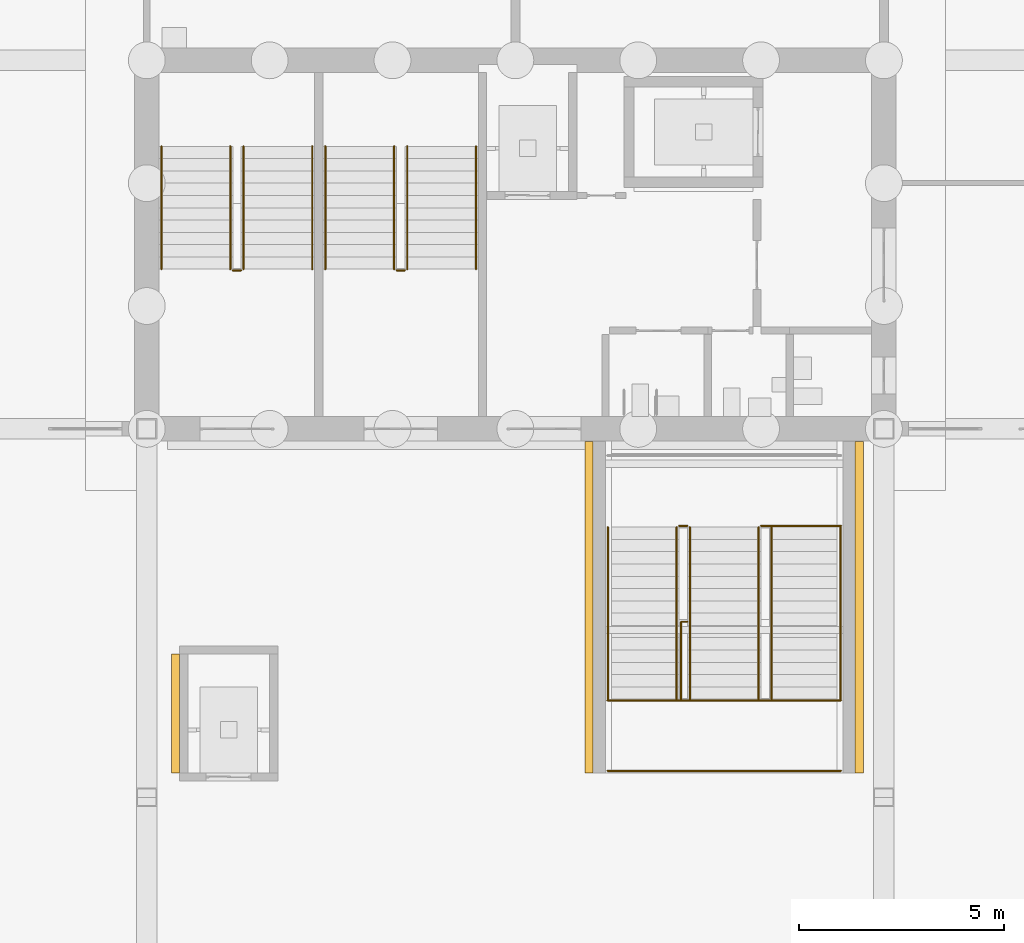
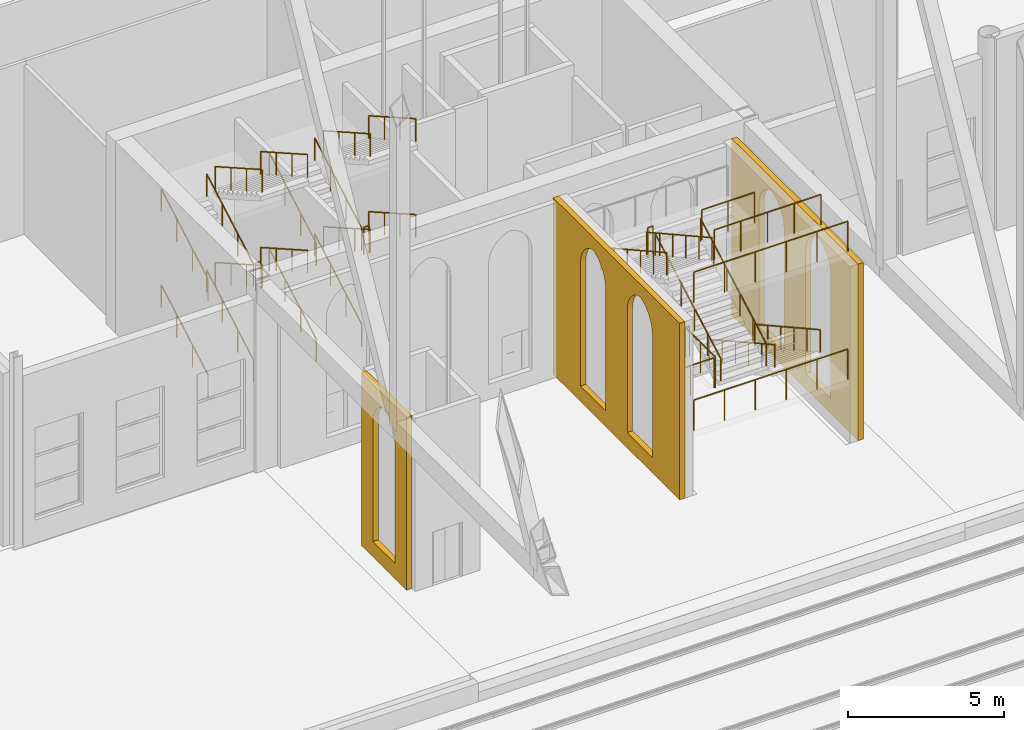
# One storey, part 181 of 250: 31 railings, 3 coverings.
"""IFC4 building model written with IfcOpenShell, lengths in metres."""

from ifc_helpers import new_model, si_unit, direction, frame, origin, origin_2d, place, context, subcontext, project, spatial, polyline, circle, outline, extrude, material, layer, layer_set, type_object, element, save


model = new_model("IFC4")

# Units and contexts
model_context = context("Model", 3, precision=1e-05, world=origin(), true_north=direction((0.0, 1.0)))
body_context = subcontext(model_context, "Body", "Model", "MODEL_VIEW")
ifc_project = project(units=[si_unit("LENGTHUNIT", "METRE"), si_unit("AREAUNIT", "SQUARE_METRE"), si_unit("VOLUMEUNIT", "CUBIC_METRE"), si_unit("PLANEANGLEUNIT", "RADIAN"), si_unit("MASSUNIT", "GRAM", prefix="KILO")], contexts=[model_context])

# Site, building, storey
site_placement = place(None, origin())
site = spatial("IfcSite", under=ifc_project, at=site_placement, CompositionType="ELEMENT")
building_placement = place(site_placement, origin())
building = spatial("IfcBuilding", under=site, at=building_placement, Name="Baradari Gate Terminus", CompositionType="ELEMENT")
storey_placement = place(building_placement, origin())
storey = spatial("IfcBuildingStorey", under=building, at=storey_placement, Name="L00", CompositionType="ELEMENT", Elevation=0.0)

# Railings
ifc_material_1 = material(Name="Stainless steel 1.4301", Category="steel")
railing_type_1 = type_object("IfcRailingType", Name="Guard GR-1 1100", PredefinedType="GUARDRAIL", material=ifc_material_1)
for number, where, name in (
    (1, (74.300048828125, 84.8701171875, 3.75), "Landing guard ST-GN1 L00"),
    (2, (78.300048828125, 84.8701171875, 3.75), "Landing guard ST-GN2 L00"),
):
    element("IfcRailing", number, at=place(storey_placement, frame(where)), inside=storey, type_object=railing_type_1, Name=name, PredefinedType="GUARDRAIL", context=body_context, shape_type="SweptSolid", body=[
        extrude(circle(Radius=0.02392578125, at=origin_2d()), frame((0.0, 0.0, 1.076171875), z_axis=(-1.0, 0.0, 0.0), x_axis=(0.0, -1.0, 0.0)), (0.0, 0.0, 1.0), 0.199951171875),
        extrude(circle(Radius=0.02099609375, at=origin_2d()), origin(), (0.0, 0.0, 1.0), 1.052001953125),
        extrude(circle(Radius=0.02099609375, at=origin_2d()), frame((-0.199951171875, 0.0, 0.0)), (0.0, 0.0, 1.0), 1.052001953125),
    ])
ifc_material_2 = material(Name="Stainless steel 1.4301", Category="steel")
railing_type_2 = type_object("IfcRailingType", Name="Guard GR-2 1200", PredefinedType="GUARDRAIL", material=ifc_material_2)
railing_1_placement = place(storey_placement, frame((85.199951171875, 76.2900390625, 2.5)))
element("IfcRailing", 3, at=railing_1_placement, inside=storey, type_object=railing_type_2, Name="Landing guard PS-2 L00", PredefinedType="GUARDRAIL", context=body_context, shape_type="SweptSolid", body=[
    extrude(circle(Radius=0.02392578125, at=origin_2d()), frame((0.0, 0.0, 1.17578125), z_axis=(-1.0, 0.0, 0.0), x_axis=(0.0, -1.0, 0.0)), (0.0, 0.0, 1.0), 0.14990234375),
    extrude(circle(Radius=0.02392578125, at=origin_2d()), frame((-0.14990234375, 0.0, 1.17578125), z_axis=(0.0, -1.0, 0.0), x_axis=(1.0, 0.0, 0.0)), (0.0, 0.0, 1.0), 1.919921875),
    extrude(circle(Radius=0.02099609375, at=origin_2d()), origin(), (0.0, 0.0, 1.0), 1.15185546875),
    extrude(circle(Radius=0.02099609375, at=origin_2d()), frame((-0.14990234375, 0.0, 0.0)), (0.0, 0.0, 1.0), 1.15185546875),
    extrude(circle(Radius=0.02099609375, at=origin_2d()), frame((-0.14990234375, -0.9599609375, 0.0)), (0.0, 0.0, 1.0), 1.15185546875),
    extrude(circle(Radius=0.02099609375, at=origin_2d()), frame((-0.14990234375, -1.919921875, 0.0)), (0.0, 0.0, 1.0), 1.15185546875),
])
railing_2_placement = place(storey_placement, frame((85.0, 74.3701171875, 2.5)))
element("IfcRailing", 4, at=railing_2_placement, inside=storey, type_object=railing_type_2, Name="Landing guard PS-2 L00", PredefinedType="GUARDRAIL", context=body_context, shape_type="SweptSolid", body=[
    extrude(circle(Radius=0.02392578125, at=origin_2d()), frame((0.0, 0.0, 1.17578125), z_axis=(-1.0, 0.0, 0.0), x_axis=(0.0, -1.0, 0.0)), (0.0, 0.0, 1.0), 1.75),
    extrude(circle(Radius=0.02099609375, at=origin_2d()), origin(), (0.0, 0.0, 1.0), 1.15185546875),
    extrude(circle(Radius=0.02099609375, at=origin_2d()), frame((-0.875, 0.0, 0.0)), (0.0, 0.0, 1.0), 1.15185546875),
    extrude(circle(Radius=0.02099609375, at=origin_2d()), frame((-1.75, 0.0, 0.0)), (0.0, 0.0, 1.0), 1.15185546875),
])
railing_3_placement = place(storey_placement, frame((83.25, 72.64990234375, 2.5)))
element("IfcRailing", 5, at=railing_3_placement, inside=storey, type_object=railing_type_2, Name="Landing guard PS-2 L00", PredefinedType="GUARDRAIL", context=body_context, shape_type="SweptSolid", body=[
    extrude(circle(Radius=0.02392578125, at=origin_2d()), frame((0.0, 0.0, 1.17578125), z_axis=(1.0, 0.0, 0.0), x_axis=(0.0, 1.0, 0.0)), (0.0, 0.0, 1.0), 5.699951171875),
    extrude(circle(Radius=0.02099609375, at=origin_2d()), origin(), (0.0, 0.0, 1.0), 1.15185546875),
    extrude(circle(Radius=0.02099609375, at=origin_2d()), frame((1.139892578125, 0.0, 0.0)), (0.0, 0.0, 1.0), 1.15185546875),
    extrude(circle(Radius=0.02099609375, at=origin_2d()), frame((2.280029296875, 0.0, 0.0)), (0.0, 0.0, 1.0), 1.15185546875),
    extrude(circle(Radius=0.02099609375, at=origin_2d()), frame((3.419921875, 0.0, 0.0)), (0.0, 0.0, 1.0), 1.15185546875),
    extrude(circle(Radius=0.02099609375, at=origin_2d()), frame((4.56005859375, 0.0, 0.0)), (0.0, 0.0, 1.0), 1.15185546875),
    extrude(circle(Radius=0.02099609375, at=origin_2d()), frame((5.699951171875, 0.0, 0.0)), (0.0, 0.0, 1.0), 1.15185546875),
])
railing_4_placement = place(storey_placement, frame((85.0, 78.6298828125, 5.0)))
element("IfcRailing", 6, at=railing_4_placement, inside=storey, type_object=railing_type_2, Name="Landing guard PS-2 L00", PredefinedType="GUARDRAIL", context=body_context, shape_type="SweptSolid", body=[
    extrude(circle(Radius=0.02392578125, at=origin_2d()), frame((0.0, 0.0, 1.17578125), z_axis=(1.0, 0.0, 0.0), x_axis=(0.0, 1.0, 0.0)), (0.0, 0.0, 1.0), 0.199951171875),
    extrude(circle(Radius=0.02099609375, at=origin_2d()), origin(), (0.0, 0.0, 1.0), 1.15185546875),
    extrude(circle(Radius=0.02099609375, at=origin_2d()), frame((0.199951171875, 0.0, 0.0)), (0.0, 0.0, 1.0), 1.15185546875),
])
railing_5_placement = place(storey_placement, frame((87.0, 78.6298828125, 5.0)))
element("IfcRailing", 7, at=railing_5_placement, inside=storey, type_object=railing_type_2, Name="Landing guard PS-2 L00", PredefinedType="GUARDRAIL", context=body_context, shape_type="SweptSolid", body=[
    extrude(circle(Radius=0.02392578125, at=origin_2d()), frame((0.0, 0.0, 1.17578125), z_axis=(1.0, 0.0, 0.0), x_axis=(0.0, 1.0, 0.0)), (0.0, 0.0, 1.0), 1.949951171875),
    extrude(circle(Radius=0.02099609375, at=origin_2d()), origin(), (0.0, 0.0, 1.0), 1.15185546875),
    extrude(circle(Radius=0.02099609375, at=origin_2d()), frame((0.97509765625, 0.0, 0.0)), (0.0, 0.0, 1.0), 1.15185546875),
    extrude(circle(Radius=0.02099609375, at=origin_2d()), frame((1.949951171875, 0.0, 0.0)), (0.0, 0.0, 1.0), 1.15185546875),
])
railing_6_placement = place(storey_placement, frame((88.949951171875, 74.3701171875, 7.5)))
element("IfcRailing", 8, at=railing_6_placement, inside=storey, type_object=railing_type_2, Name="Landing guard PS-2 L00", PredefinedType="GUARDRAIL", context=body_context, shape_type="SweptSolid", body=[
    extrude(circle(Radius=0.02392578125, at=origin_2d()), frame((0.0, 0.0, 1.17578125), z_axis=(-1.0, 0.0, 0.0), x_axis=(0.0, -1.0, 0.0)), (0.0, 0.0, 1.0), 3.949951171875),
    extrude(circle(Radius=0.02099609375, at=origin_2d()), origin(), (0.0, 0.0, 1.0), 1.15185546875),
    extrude(circle(Radius=0.02099609375, at=origin_2d()), frame((-0.987548828125, 0.0, 0.0)), (0.0, 0.0, 1.0), 1.15185546875),
    extrude(circle(Radius=0.02099609375, at=origin_2d()), frame((-1.97509765625, 0.0, 0.0)), (0.0, 0.0, 1.0), 1.15185546875),
    extrude(circle(Radius=0.02099609375, at=origin_2d()), frame((-2.96240234375, 0.0, 0.0)), (0.0, 0.0, 1.0), 1.15185546875),
    extrude(circle(Radius=0.02099609375, at=origin_2d()), frame((-3.949951171875, 0.0, 0.0)), (0.0, 0.0, 1.0), 1.15185546875),
])
railing_7_placement = place(storey_placement, frame((83.25, 72.64990234375, 7.5)))
element("IfcRailing", 9, at=railing_7_placement, inside=storey, type_object=railing_type_2, Name="Landing guard PS-2 L00", PredefinedType="GUARDRAIL", context=body_context, shape_type="SweptSolid", body=[
    extrude(circle(Radius=0.02392578125, at=origin_2d()), frame((0.0, 0.0, 1.17578125), z_axis=(1.0, 0.0, 0.0), x_axis=(0.0, 1.0, 0.0)), (0.0, 0.0, 1.0), 5.699951171875),
    extrude(circle(Radius=0.02099609375, at=origin_2d()), origin(), (0.0, 0.0, 1.0), 1.15185546875),
    extrude(circle(Radius=0.02099609375, at=origin_2d()), frame((1.139892578125, 0.0, 0.0)), (0.0, 0.0, 1.0), 1.15185546875),
    extrude(circle(Radius=0.02099609375, at=origin_2d()), frame((2.280029296875, 0.0, 0.0)), (0.0, 0.0, 1.0), 1.15185546875),
    extrude(circle(Radius=0.02099609375, at=origin_2d()), frame((3.419921875, 0.0, 0.0)), (0.0, 0.0, 1.0), 1.15185546875),
    extrude(circle(Radius=0.02099609375, at=origin_2d()), frame((4.56005859375, 0.0, 0.0)), (0.0, 0.0, 1.0), 1.15185546875),
    extrude(circle(Radius=0.02099609375, at=origin_2d()), frame((5.699951171875, 0.0, 0.0)), (0.0, 0.0, 1.0), 1.15185546875),
])
ifc_material_3 = material(Name="Stainless steel 1.4301", Category="steel")
railing_type_3 = type_object("IfcRailingType", Name="Handrail HR-1 900", PredefinedType="HANDRAIL", material=ifc_material_3)
for number, where, name in (
    (10, (72.360107421875, 84.89990234375, 0.17041015625), "Handrail ST-GN1 L00 flight 1"),
    (11, (74.0400390625, 84.89990234375, 0.17041015625), "Handrail ST-GN1 L00 flight 1"),
):
    element("IfcRailing", number, at=place(storey_placement, frame(where)), inside=storey, type_object=railing_type_3, Name=name, PredefinedType="HANDRAIL", context=body_context, shape_type="SweptSolid", body=[
        extrude(circle(Radius=0.02392578125, at=origin_2d()), frame((0.0, 0.0, 0.8759765625), z_axis=(0.0, 0.869451031676, 0.494019132744), x_axis=(-1.0, 0.0, 0.0)), (0.0, 0.0, 1.0), 3.450439453125),
        extrude(circle(Radius=0.02099609375, at=origin_2d()), origin(), (0.0, 0.0, 1.0), 0.851806640625),
        extrude(circle(Radius=0.02099609375, at=origin_2d()), frame((0.0, 1.0, 0.568115234375)), (0.0, 0.0, 1.0), 0.851806640625),
        extrude(circle(Radius=0.02099609375, at=origin_2d()), frame((0.0, 2.0, 1.136474609375)), (0.0, 0.0, 1.0), 0.851806640625),
        extrude(circle(Radius=0.02099609375, at=origin_2d()), frame((0.0, 3.0, 1.70458984375)), (0.0, 0.0, 1.0), 0.851806640625),
    ])
for number, where, name in (
    (12, (74.360107421875, 87.89990234375, 2.04541015625), "Handrail ST-GN1 L00 flight 2"),
    (13, (76.0400390625, 87.89990234375, 2.04541015625), "Handrail ST-GN1 L00 flight 2"),
):
    element("IfcRailing", number, at=place(storey_placement, frame(where)), inside=storey, type_object=railing_type_3, Name=name, PredefinedType="HANDRAIL", context=body_context, shape_type="SweptSolid", body=[
        extrude(circle(Radius=0.02392578125, at=origin_2d()), frame((0.0, 0.0, 0.8759765625), z_axis=(0.0, -0.869451031676, 0.494019132744), x_axis=(1.0, 0.0, 0.0)), (0.0, 0.0, 1.0), 3.450439453125),
        extrude(circle(Radius=0.02099609375, at=origin_2d()), origin(), (0.0, 0.0, 1.0), 0.851806640625),
        extrude(circle(Radius=0.02099609375, at=origin_2d()), frame((0.0, -1.0, 0.568115234375)), (0.0, 0.0, 1.0), 0.851806640625),
        extrude(circle(Radius=0.02099609375, at=origin_2d()), frame((0.0, -2.0, 1.136474609375)), (0.0, 0.0, 1.0), 0.851806640625),
        extrude(circle(Radius=0.02099609375, at=origin_2d()), frame((0.0, -3.0, 1.70458984375)), (0.0, 0.0, 1.0), 0.851806640625),
    ])
for number, where, name in (
    (14, (72.360107421875, 84.89990234375, 3.92041015625), "Handrail ST-GN1 L00 flight 3"),
    (15, (74.0400390625, 84.89990234375, 3.92041015625), "Handrail ST-GN1 L00 flight 3"),
):
    element("IfcRailing", number, at=place(storey_placement, frame(where)), inside=storey, type_object=railing_type_3, Name=name, PredefinedType="HANDRAIL", context=body_context, shape_type="SweptSolid", body=[
        extrude(circle(Radius=0.02392578125, at=origin_2d()), frame((0.0, 0.0, 0.8759765625), z_axis=(0.0, 0.869451031676, 0.494019132744), x_axis=(-1.0, 0.0, 0.0)), (0.0, 0.0, 1.0), 3.450439453125),
        extrude(circle(Radius=0.02099609375, at=origin_2d()), origin(), (0.0, 0.0, 1.0), 0.851806640625),
        extrude(circle(Radius=0.02099609375, at=origin_2d()), frame((0.0, 1.0, 0.568115234375)), (0.0, 0.0, 1.0), 0.851806640625),
        extrude(circle(Radius=0.02099609375, at=origin_2d()), frame((0.0, 2.0, 1.136474609375)), (0.0, 0.0, 1.0), 0.851806640625),
        extrude(circle(Radius=0.02099609375, at=origin_2d()), frame((0.0, 3.0, 1.70458984375)), (0.0, 0.0, 1.0), 0.851806640625),
    ])
for number, where, name in (
    (16, (74.360107421875, 87.89990234375, 5.79541015625), "Handrail ST-GN1 L00 flight 4"),
    (17, (76.0400390625, 87.89990234375, 5.79541015625), "Handrail ST-GN1 L00 flight 4"),
):
    element("IfcRailing", number, at=place(storey_placement, frame(where)), inside=storey, type_object=railing_type_3, Name=name, PredefinedType="HANDRAIL", context=body_context, shape_type="SweptSolid", body=[
        extrude(circle(Radius=0.02392578125, at=origin_2d()), frame((0.0, 0.0, 0.8759765625), z_axis=(0.0, -0.869451031676, 0.494019132744), x_axis=(1.0, 0.0, 0.0)), (0.0, 0.0, 1.0), 3.450439453125),
        extrude(circle(Radius=0.02099609375, at=origin_2d()), origin(), (0.0, 0.0, 1.0), 0.851806640625),
        extrude(circle(Radius=0.02099609375, at=origin_2d()), frame((0.0, -1.0, 0.568115234375)), (0.0, 0.0, 1.0), 0.851806640625),
        extrude(circle(Radius=0.02099609375, at=origin_2d()), frame((0.0, -2.0, 1.136474609375)), (0.0, 0.0, 1.0), 0.851806640625),
        extrude(circle(Radius=0.02099609375, at=origin_2d()), frame((0.0, -3.0, 1.70458984375)), (0.0, 0.0, 1.0), 0.851806640625),
    ])
for number, where, name in (
    (18, (76.360107421875, 84.89990234375, 0.17041015625), "Handrail ST-GN2 L00 flight 1"),
    (19, (78.0400390625, 84.89990234375, 0.17041015625), "Handrail ST-GN2 L00 flight 1"),
):
    element("IfcRailing", number, at=place(storey_placement, frame(where)), inside=storey, type_object=railing_type_3, Name=name, PredefinedType="HANDRAIL", context=body_context, shape_type="SweptSolid", body=[
        extrude(circle(Radius=0.02392578125, at=origin_2d()), frame((0.0, 0.0, 0.8759765625), z_axis=(0.0, 0.869451031676, 0.494019132744), x_axis=(-1.0, 0.0, 0.0)), (0.0, 0.0, 1.0), 3.450439453125),
        extrude(circle(Radius=0.02099609375, at=origin_2d()), origin(), (0.0, 0.0, 1.0), 0.851806640625),
        extrude(circle(Radius=0.02099609375, at=origin_2d()), frame((0.0, 1.0, 0.568115234375)), (0.0, 0.0, 1.0), 0.851806640625),
        extrude(circle(Radius=0.02099609375, at=origin_2d()), frame((0.0, 2.0, 1.136474609375)), (0.0, 0.0, 1.0), 0.851806640625),
        extrude(circle(Radius=0.02099609375, at=origin_2d()), frame((0.0, 3.0, 1.70458984375)), (0.0, 0.0, 1.0), 0.851806640625),
    ])
for number, where, name in (
    (20, (78.360107421875, 87.89990234375, 2.04541015625), "Handrail ST-GN2 L00 flight 2"),
    (21, (80.0400390625, 87.89990234375, 2.04541015625), "Handrail ST-GN2 L00 flight 2"),
):
    element("IfcRailing", number, at=place(storey_placement, frame(where)), inside=storey, type_object=railing_type_3, Name=name, PredefinedType="HANDRAIL", context=body_context, shape_type="SweptSolid", body=[
        extrude(circle(Radius=0.02392578125, at=origin_2d()), frame((0.0, 0.0, 0.8759765625), z_axis=(0.0, -0.869451031676, 0.494019132744), x_axis=(1.0, 0.0, 0.0)), (0.0, 0.0, 1.0), 3.450439453125),
        extrude(circle(Radius=0.02099609375, at=origin_2d()), origin(), (0.0, 0.0, 1.0), 0.851806640625),
        extrude(circle(Radius=0.02099609375, at=origin_2d()), frame((0.0, -1.0, 0.568115234375)), (0.0, 0.0, 1.0), 0.851806640625),
        extrude(circle(Radius=0.02099609375, at=origin_2d()), frame((0.0, -2.0, 1.136474609375)), (0.0, 0.0, 1.0), 0.851806640625),
        extrude(circle(Radius=0.02099609375, at=origin_2d()), frame((0.0, -3.0, 1.70458984375)), (0.0, 0.0, 1.0), 0.851806640625),
    ])
for number, where, name in (
    (22, (76.360107421875, 84.89990234375, 3.92041015625), "Handrail ST-GN2 L00 flight 3"),
    (23, (78.0400390625, 84.89990234375, 3.92041015625), "Handrail ST-GN2 L00 flight 3"),
):
    element("IfcRailing", number, at=place(storey_placement, frame(where)), inside=storey, type_object=railing_type_3, Name=name, PredefinedType="HANDRAIL", context=body_context, shape_type="SweptSolid", body=[
        extrude(circle(Radius=0.02392578125, at=origin_2d()), frame((0.0, 0.0, 0.8759765625), z_axis=(0.0, 0.869451031676, 0.494019132744), x_axis=(-1.0, 0.0, 0.0)), (0.0, 0.0, 1.0), 3.450439453125),
        extrude(circle(Radius=0.02099609375, at=origin_2d()), origin(), (0.0, 0.0, 1.0), 0.851806640625),
        extrude(circle(Radius=0.02099609375, at=origin_2d()), frame((0.0, 1.0, 0.568115234375)), (0.0, 0.0, 1.0), 0.851806640625),
        extrude(circle(Radius=0.02099609375, at=origin_2d()), frame((0.0, 2.0, 1.136474609375)), (0.0, 0.0, 1.0), 0.851806640625),
        extrude(circle(Radius=0.02099609375, at=origin_2d()), frame((0.0, 3.0, 1.70458984375)), (0.0, 0.0, 1.0), 0.851806640625),
    ])
for number, where, name in (
    (24, (78.360107421875, 87.89990234375, 5.79541015625), "Handrail ST-GN2 L00 flight 4"),
    (25, (80.0400390625, 87.89990234375, 5.79541015625), "Handrail ST-GN2 L00 flight 4"),
):
    element("IfcRailing", number, at=place(storey_placement, frame(where)), inside=storey, type_object=railing_type_3, Name=name, PredefinedType="HANDRAIL", context=body_context, shape_type="SweptSolid", body=[
        extrude(circle(Radius=0.02392578125, at=origin_2d()), frame((0.0, 0.0, 0.8759765625), z_axis=(0.0, -0.869451031676, 0.494019132744), x_axis=(1.0, 0.0, 0.0)), (0.0, 0.0, 1.0), 3.450439453125),
        extrude(circle(Radius=0.02099609375, at=origin_2d()), origin(), (0.0, 0.0, 1.0), 0.851806640625),
        extrude(circle(Radius=0.02099609375, at=origin_2d()), frame((0.0, -1.0, 0.568115234375)), (0.0, 0.0, 1.0), 0.851806640625),
        extrude(circle(Radius=0.02099609375, at=origin_2d()), frame((0.0, -2.0, 1.136474609375)), (0.0, 0.0, 1.0), 0.851806640625),
        extrude(circle(Radius=0.02099609375, at=origin_2d()), frame((0.0, -3.0, 1.70458984375)), (0.0, 0.0, 1.0), 0.851806640625),
    ])
for number, where, name in (
    (26, (88.93994140625, 78.60009765625, 0.166748046875), "Handrail PS-2 L00 flight 1"),
    (27, (87.260009765625, 78.60009765625, 0.166748046875), "Handrail PS-2 L00 flight 1"),
):
    element("IfcRailing", number, at=place(storey_placement, frame(where)), inside=storey, type_object=railing_type_3, Name=name, PredefinedType="HANDRAIL", context=body_context, shape_type="SweptSolid", body=[
        extrude(circle(Radius=0.02392578125, at=origin_2d()), frame((0.0, 0.0, 0.8759765625), z_axis=(0.0, -0.874174053232, 0.485612731152), x_axis=(1.0, 0.0, 0.0)), (0.0, 0.0, 1.0), 4.8046875),
        extrude(circle(Radius=0.02099609375, at=origin_2d()), origin(), (0.0, 0.0, 1.0), 0.851806640625),
        extrude(circle(Radius=0.02099609375, at=origin_2d()), frame((0.0, -0.840087890625, 0.466552734375)), (0.0, 0.0, 1.0), 0.851806640625),
        extrude(circle(Radius=0.02099609375, at=origin_2d()), frame((0.0, -1.68017578125, 0.933349609375)), (0.0, 0.0, 1.0), 0.851806640625),
        extrude(circle(Radius=0.02099609375, at=origin_2d()), frame((0.0, -2.52001953125, 1.39990234375)), (0.0, 0.0, 1.0), 0.851806640625),
        extrude(circle(Radius=0.02099609375, at=origin_2d()), frame((0.0, -3.360107421875, 1.86669921875)), (0.0, 0.0, 1.0), 0.851806640625),
        extrude(circle(Radius=0.02099609375, at=origin_2d()), frame((0.0, -4.2001953125, 2.333251953125)), (0.0, 0.0, 1.0), 0.851806640625),
    ])
for number, where, name in (
    (28, (86.93994140625, 74.39990234375, 2.666748046875), "Handrail PS-2 L00 flight 2"),
    (29, (85.260009765625, 74.39990234375, 2.666748046875), "Handrail PS-2 L00 flight 2"),
):
    element("IfcRailing", number, at=place(storey_placement, frame(where)), inside=storey, type_object=railing_type_3, Name=name, PredefinedType="HANDRAIL", context=body_context, shape_type="SweptSolid", body=[
        extrude(circle(Radius=0.02392578125, at=origin_2d()), frame((0.0, 0.0, 0.8759765625), z_axis=(0.0, 0.874174053232, 0.485612731152), x_axis=(-1.0, 0.0, 0.0)), (0.0, 0.0, 1.0), 4.8046875),
        extrude(circle(Radius=0.02099609375, at=origin_2d()), origin(), (0.0, 0.0, 1.0), 0.851806640625),
        extrude(circle(Radius=0.02099609375, at=origin_2d()), frame((0.0, 0.840087890625, 0.466552734375)), (0.0, 0.0, 1.0), 0.851806640625),
        extrude(circle(Radius=0.02099609375, at=origin_2d()), frame((0.0, 1.68017578125, 0.933349609375)), (0.0, 0.0, 1.0), 0.851806640625),
        extrude(circle(Radius=0.02099609375, at=origin_2d()), frame((0.0, 2.52001953125, 1.39990234375)), (0.0, 0.0, 1.0), 0.851806640625),
        extrude(circle(Radius=0.02099609375, at=origin_2d()), frame((0.0, 3.360107421875, 1.86669921875)), (0.0, 0.0, 1.0), 0.851806640625),
        extrude(circle(Radius=0.02099609375, at=origin_2d()), frame((0.0, 4.2001953125, 2.333251953125)), (0.0, 0.0, 1.0), 0.851806640625),
    ])
for number, where, name in (
    (30, (84.93994140625, 78.60009765625, 5.166748046875), "Handrail PS-2 L00 flight 3"),
    (31, (83.260009765625, 78.60009765625, 5.166748046875), "Handrail PS-2 L00 flight 3"),
):
    element("IfcRailing", number, at=place(storey_placement, frame(where)), inside=storey, type_object=railing_type_3, Name=name, PredefinedType="HANDRAIL", context=body_context, shape_type="SweptSolid", body=[
        extrude(circle(Radius=0.02392578125, at=origin_2d()), frame((0.0, 0.0, 0.8759765625), z_axis=(0.0, -0.874174053232, 0.485612731152), x_axis=(1.0, 0.0, 0.0)), (0.0, 0.0, 1.0), 4.8046875),
        extrude(circle(Radius=0.02099609375, at=origin_2d()), origin(), (0.0, 0.0, 1.0), 0.851806640625),
        extrude(circle(Radius=0.02099609375, at=origin_2d()), frame((0.0, -0.840087890625, 0.466552734375)), (0.0, 0.0, 1.0), 0.851806640625),
        extrude(circle(Radius=0.02099609375, at=origin_2d()), frame((0.0, -1.68017578125, 0.933349609375)), (0.0, 0.0, 1.0), 0.851806640625),
        extrude(circle(Radius=0.02099609375, at=origin_2d()), frame((0.0, -2.52001953125, 1.39990234375)), (0.0, 0.0, 1.0), 0.851806640625),
        extrude(circle(Radius=0.02099609375, at=origin_2d()), frame((0.0, -3.360107421875, 1.86669921875)), (0.0, 0.0, 1.0), 0.851806640625),
        extrude(circle(Radius=0.02099609375, at=origin_2d()), frame((0.0, -4.2001953125, 2.333251953125)), (0.0, 0.0, 1.0), 0.851806640625),
    ])

# Coverings
ifc_material_4 = material(Name="Light ochre laterite masonry", Category="masonry")
ifc_layer = layer(ifc_material_4, 0.199951171875)
ifc_layer_set = layer_set([ifc_layer], Name="Light ochre laterite masonry")
covering_type = type_object("IfcCoveringType", Name="Laterite arcade cladding LC-2 200", PredefinedType="CLADDING", material=ifc_layer_set)
covering_1_placement = place(storey_placement, frame((72.699951171875, 72.60009765625, 0.0), z_axis=(0.0, 0.0, 1.0), x_axis=(0.0, 1.0, 0.0)))
element("IfcCovering", 32, at=covering_1_placement, inside=storey, type_object=covering_type, Name="Lift shaft front course LP2 1", PredefinedType="CLADDING", context=body_context, shape_type="SweptSolid", body=[
    extrude(outline(polyline([(0.0, 0.0), (2.89990234375, 0.0), (2.89990234375, 6.757080078125), (0.0, 6.757080078125), (0.0, 0.0)]), holes=[polyline([(0.75, 0.60009765625), (0.75, 5.257080078125), (0.755615234375, 5.364990234375), (0.77197265625, 5.47216796875), (0.79931640625, 5.576904296875), (0.8369140625, 5.678466796875), (0.885009765625, 5.775634765625), (0.9423828125, 5.8671875), (1.0087890625, 5.952880859375), (1.083740234375, 6.031005859375), (1.166259765625, 6.101318359375), (1.25537109375, 6.16259765625), (1.350341796875, 6.21484375), (1.449951171875, 6.257080078125), (1.5498046875, 6.21484375), (1.64453125, 6.16259765625), (1.73388671875, 6.101318359375), (1.816162109375, 6.031005859375), (1.89111328125, 5.952880859375), (1.95751953125, 5.8671875), (2.01513671875, 5.775634765625), (2.06298828125, 5.678466796875), (2.100830078125, 5.576904296875), (2.1279296875, 5.47216796875), (2.14453125, 5.364990234375), (2.14990234375, 5.257080078125), (2.14990234375, 0.60009765625), (0.75, 0.60009765625)])]), frame((0.0, 0.10009765625, 0.0), z_axis=(0.0, -1.0, 0.0), x_axis=(1.0, 0.0, 0.0)), (0.0, 0.0, 1.0), 0.199951171875),
])
covering_2_placement = place(storey_placement, frame((82.800048828125, 72.60009765625, 0.0), z_axis=(0.0, 0.0, 1.0), x_axis=(0.0, 1.0, 0.0)))
element("IfcCovering", 33, at=covering_2_placement, inside=storey, type_object=covering_type, Name="Platform stair front course PS-2-W1 1", PredefinedType="CLADDING", context=body_context, shape_type="SweptSolid", body=[
    extrude(outline(polyline([(0.0, 0.0), (8.097900390625, 0.0), (8.097900390625, 6.902099609375), (0.0, 6.902099609375), (0.0, 0.0)]), holes=[polyline([(1.7490234375, 5.402099609375), (1.755615234375, 5.51708984375), (1.77490234375, 5.630615234375), (1.806884765625, 5.7412109375), (1.85107421875, 5.84765625), (1.90673828125, 5.948486328125), (1.9736328125, 6.042236328125), (2.050537109375, 6.128173828125), (2.13671875, 6.20458984375), (2.230712890625, 6.271240234375), (2.33154296875, 6.32666015625), (2.438232421875, 6.370361328125), (2.549072265625, 6.402099609375), (2.659912109375, 6.370361328125), (2.766357421875, 6.32666015625), (2.8671875, 6.271240234375), (2.96142578125, 6.20458984375), (3.047607421875, 6.128173828125), (3.12451171875, 6.042236328125), (3.191162109375, 5.948486328125), (3.2470703125, 5.84765625), (3.291259765625, 5.7412109375), (3.3232421875, 5.630615234375), (3.342529296875, 5.51708984375), (3.34912109375, 5.402099609375), (3.34912109375, 0.60009765625), (1.7490234375, 0.60009765625), (1.7490234375, 5.402099609375)]), polyline([(4.7490234375, 5.402099609375), (4.755615234375, 5.51708984375), (4.77490234375, 5.630615234375), (4.806884765625, 5.7412109375), (4.85107421875, 5.84765625), (4.90673828125, 5.948486328125), (4.9736328125, 6.042236328125), (5.050537109375, 6.128173828125), (5.13671875, 6.20458984375), (5.230712890625, 6.271240234375), (5.33154296875, 6.32666015625), (5.438232421875, 6.370361328125), (5.549072265625, 6.402099609375), (5.659912109375, 6.370361328125), (5.766357421875, 6.32666015625), (5.8671875, 6.271240234375), (5.96142578125, 6.20458984375), (6.047607421875, 6.128173828125), (6.12451171875, 6.042236328125), (6.191162109375, 5.948486328125), (6.2470703125, 5.84765625), (6.291259765625, 5.7412109375), (6.3232421875, 5.630615234375), (6.342529296875, 5.51708984375), (6.34912109375, 5.402099609375), (6.34912109375, 0.60009765625), (4.7490234375, 0.60009765625), (4.7490234375, 5.402099609375)])]), frame((0.0, 0.10009765625, 0.0), z_axis=(0.0, -1.0, 0.0), x_axis=(1.0, 0.0, 0.0)), (0.0, 0.0, 1.0), 0.199951171875),
])
covering_3_placement = place(storey_placement, frame((89.39990234375, 72.60009765625, 0.0), z_axis=(0.0, 0.0, 1.0), x_axis=(0.0, 1.0, 0.0)))
element("IfcCovering", 34, at=covering_3_placement, inside=storey, type_object=covering_type, Name="Platform stair front course PS-2-E2 1", PredefinedType="CLADDING", context=body_context, shape_type="SweptSolid", body=[
    extrude(outline(polyline([(0.0, 0.0), (8.097900390625, 0.0), (8.097900390625, 6.902099609375), (0.0, 6.902099609375), (0.0, 0.0)]), holes=[polyline([(1.7490234375, 5.402099609375), (1.755615234375, 5.51708984375), (1.77490234375, 5.630615234375), (1.806884765625, 5.7412109375), (1.85107421875, 5.84765625), (1.90673828125, 5.948486328125), (1.9736328125, 6.042236328125), (2.050537109375, 6.128173828125), (2.13671875, 6.20458984375), (2.230712890625, 6.271240234375), (2.33154296875, 6.32666015625), (2.438232421875, 6.370361328125), (2.549072265625, 6.402099609375), (2.659912109375, 6.370361328125), (2.766357421875, 6.32666015625), (2.8671875, 6.271240234375), (2.96142578125, 6.20458984375), (3.047607421875, 6.128173828125), (3.12451171875, 6.042236328125), (3.191162109375, 5.948486328125), (3.2470703125, 5.84765625), (3.291259765625, 5.7412109375), (3.3232421875, 5.630615234375), (3.342529296875, 5.51708984375), (3.34912109375, 5.402099609375), (3.34912109375, 0.60009765625), (1.7490234375, 0.60009765625), (1.7490234375, 5.402099609375)]), polyline([(4.7490234375, 5.402099609375), (4.755615234375, 5.51708984375), (4.77490234375, 5.630615234375), (4.806884765625, 5.7412109375), (4.85107421875, 5.84765625), (4.90673828125, 5.948486328125), (4.9736328125, 6.042236328125), (5.050537109375, 6.128173828125), (5.13671875, 6.20458984375), (5.230712890625, 6.271240234375), (5.33154296875, 6.32666015625), (5.438232421875, 6.370361328125), (5.549072265625, 6.402099609375), (5.659912109375, 6.370361328125), (5.766357421875, 6.32666015625), (5.8671875, 6.271240234375), (5.96142578125, 6.20458984375), (6.047607421875, 6.128173828125), (6.12451171875, 6.042236328125), (6.191162109375, 5.948486328125), (6.2470703125, 5.84765625), (6.291259765625, 5.7412109375), (6.3232421875, 5.630615234375), (6.342529296875, 5.51708984375), (6.34912109375, 5.402099609375), (6.34912109375, 0.60009765625), (4.7490234375, 0.60009765625), (4.7490234375, 5.402099609375)])]), frame((0.0, 0.10009765625, 0.0), z_axis=(0.0, -1.0, 0.0), x_axis=(1.0, 0.0, 0.0)), (0.0, 0.0, 1.0), 0.199951171875),
])

save(model, "model.ifc")
